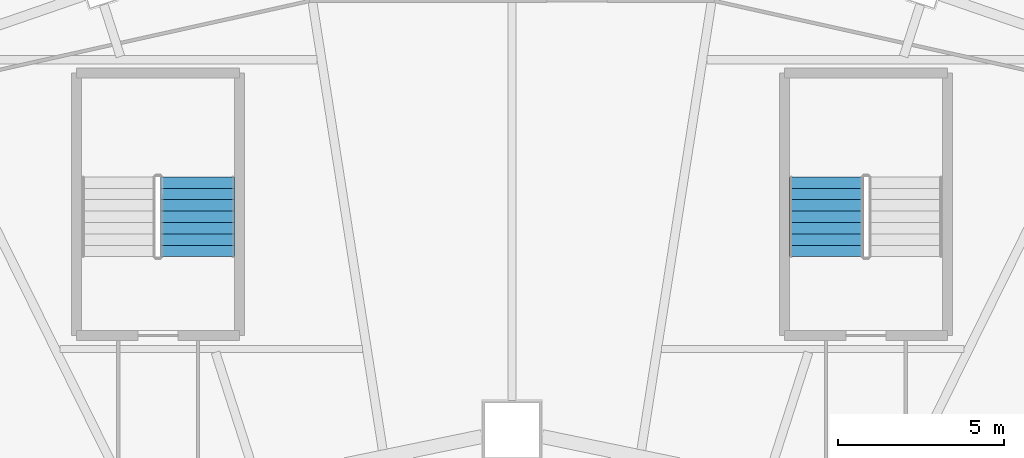
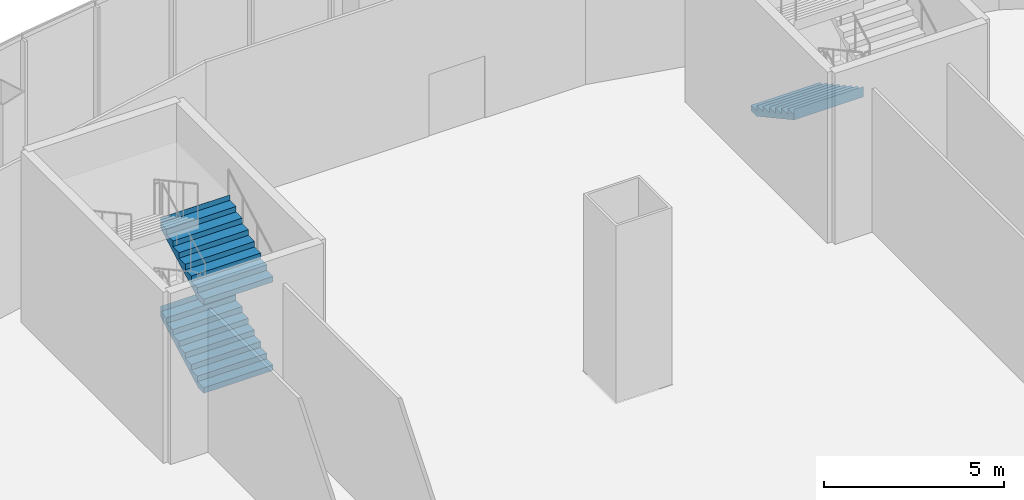
# One storey, part 33 of 37: 3 stair flights, 2 elements without a shape of their own.
"""IFC4 building model written with IfcOpenShell, lengths in metres."""

import ifcopenshell
import ifcopenshell.guid

model = None  # the IFC model being written
_history = None  # IfcOwnerHistory: only IFC2X3 demands one
_inside = {}  # id of a spatial element -> (the spatial element, [elements in it])
_under = {}  # id of a project, library or spatial element -> (it, [spatial elements below it])
_declared = {}  # id of a project -> (the project, [libraries it declares])
_typed = {}  # id of a type object -> (the type object, [elements of that type])
_made_of = {}  # id of a material, layer set ... -> (it, [elements and type objects made of it])


def new_model(schema):
    """Start an empty IFC model of exactly this schema.

    Asked for "IFC4X3", IfcOpenShell would pick the latest addendum, in which some entities
    have other attributes; the version numbers below select the first issue.
    IFC2X3 requires an IfcOwnerHistory on every rooted entity: one is made here for all.
    """
    global model, _history
    if schema == "IFC4X3":
        model = ifcopenshell.file(schema_version=(4, 3, 0, 0))
    else:
        model = ifcopenshell.file(schema=schema)
    _inside.clear()
    _under.clear()
    _declared.clear()
    _typed.clear()
    _made_of.clear()
    _history = None
    if model.schema == "IFC2X3":
        org = make("IfcOrganization", Name="unknown")
        user = make(
            "IfcPersonAndOrganization",
            ThePerson=make("IfcPerson", FamilyName="unknown"),
            TheOrganization=org,
        )
        app = make(
            "IfcApplication",
            ApplicationDeveloper=org,
            Version="unknown",
            ApplicationFullName="unknown",
            ApplicationIdentifier="unknown",
        )
        _history = make(
            "IfcOwnerHistory",
            OwningUser=user,
            OwningApplication=app,
            ChangeAction="ADDED",
            CreationDate=0,
        )
    return model


def make(cls, **values):
    """One entity of the class cls with the attributes given. An attribute that is None is left unset."""
    return model.create_entity(
        cls, **{name: value for name, value in values.items() if value is not None}
    )


def rooted(cls, **values):
    """An entity with a GlobalId (a new one), such as an element, a storey or a relation."""
    return make(cls, GlobalId=ifcopenshell.guid.new(), OwnerHistory=_history, **values)


def si_unit(unit_type, name, prefix=None):
    """IfcSIUnit, for example si_unit("LENGTHUNIT", "METRE", prefix="MILLI")."""
    return make("IfcSIUnit", UnitType=unit_type, Prefix=prefix, Name=name)


def assignment(units):
    """IfcUnitAssignment: the units of a project."""
    return None if units is None else make("IfcUnitAssignment", Units=units)


def point(xyz):
    """IfcCartesianPoint."""
    return None if xyz is None else make("IfcCartesianPoint", Coordinates=xyz)


def direction(xyz):
    """IfcDirection."""
    return None if xyz is None else make("IfcDirection", DirectionRatios=xyz)


def frame(location, z_axis=None, x_axis=None):
    """IfcAxis2Placement3D, a coordinate frame: its origin and axes. An axis left out is left unset."""
    return make(
        "IfcAxis2Placement3D",
        Location=point(location),
        Axis=direction(z_axis),
        RefDirection=direction(x_axis),
    )


def origin():
    """The frame at (0, 0, 0) with its axes left unset."""
    return frame((0.0, 0.0, 0.0))


def place(relative_to, where):
    """IfcLocalPlacement: puts the frame where relative to a parent placement (None: the world)."""
    return make(
        "IfcLocalPlacement", PlacementRelTo=relative_to, RelativePlacement=where
    )


def context(
    kind, dimensions, precision=None, world=None, true_north=None, identifier=None
):
    """IfcGeometricRepresentationContext, for example the 3D "Model" context."""
    return make(
        "IfcGeometricRepresentationContext",
        ContextIdentifier=identifier,
        ContextType=kind,
        CoordinateSpaceDimension=dimensions,
        Precision=precision,
        WorldCoordinateSystem=world,
        TrueNorth=true_north,
    )


def subcontext(parent, identifier, kind, view, scale=None):
    """IfcGeometricRepresentationSubContext, for example "Body" below "Model"."""
    return make(
        "IfcGeometricRepresentationSubContext",
        ContextIdentifier=identifier,
        ContextType=kind,
        ParentContext=parent,
        TargetScale=scale,
        TargetView=view,
    )


def project(units=None, contexts=None):
    """IfcProject with its units and contexts."""
    return rooted(
        "IfcProject",
        Name="project",
        RepresentationContexts=contexts,
        UnitsInContext=assignment(units),
    )


def spatial(cls, under=None, at=None, **own):
    """A site, building, storey or space (cls), placed at a placement, below another one or the project."""
    s = rooted(cls, ObjectPlacement=at, **own)
    if under is not None:
        _under.setdefault(under.id(), (under, []))[1].append(s)
    return s


def point_list(points):
    """IfcCartesianPointList2D or 3D."""
    cls = (
        "IfcCartesianPointList2D" if len(points[0]) == 2 else "IfcCartesianPointList3D"
    )
    return make(cls, CoordList=points)


def triangles(points, corners, closed=None, point_numbers=None):
    """IfcTriangulatedFaceSet: each triangle names its three corners, points numbered from 1."""
    return make(
        "IfcTriangulatedFaceSet",
        Coordinates=point_list(points),
        Closed=closed,
        CoordIndex=corners,
        PnIndex=point_numbers,
    )


def shape(context_of_items, identifier, shape_type, items):
    """IfcShapeRepresentation: the items that make up one representation, for example the "Body"."""
    return make(
        "IfcShapeRepresentation",
        ContextOfItems=context_of_items,
        RepresentationIdentifier=identifier,
        RepresentationType=shape_type,
        Items=items,
    )


def material(Name=None, Category=None):
    """IfcMaterial."""
    return make("IfcMaterial", Name=Name, Category=Category)


def made_of(thing, what):
    """Note that an element or type object is made of a material, layer set ...; save() writes the relation."""
    if what is not None:
        _made_of.setdefault(what.id(), (what, []))[1].append(thing)
    return thing


def type_object(cls, material=None, **own):
    """A type object (cls), such as IfcWallType, which elements share."""
    return made_of(rooted(cls, **own), material)


def element(
    cls,
    number,
    at=None,
    inside=None,
    cuts=None,
    type_object=None,
    material=None,
    context=None,
    identifier="Body",
    shape_type=None,
    held_by="IfcProductDefinitionShape",
    body=None,
    shapes=None,
    **own,
):
    """One element of the class cls, such as IfcWall. Its Tag is "e" and its number.

    at: its placement. inside: the storey or other place that contains it. cuts: it is an
    opening in that element (IfcRelVoidsElement). A single representation is given by context,
    identifier, shape_type and body (its items); several are given by shapes. held_by: the class
    of the entity that holds the representations. save() writes the other relations.
    """
    e = rooted(cls, Tag="e%d" % number, ObjectPlacement=at, **own)
    if body is not None:
        shapes = [shape(context, identifier, shape_type, body)]
    if shapes is not None:
        e.Representation = make(held_by, Representations=shapes)
    if inside is not None:
        _inside.setdefault(inside.id(), (inside, []))[1].append(e)
    if cuts is not None:
        rooted(
            "IfcRelVoidsElement", RelatingBuildingElement=cuts, RelatedOpeningElement=e
        )
    if type_object is not None:
        _typed.setdefault(type_object.id(), (type_object, []))[1].append(e)
    return made_of(e, material)


def aggregate(whole, parts):
    """IfcRelAggregates: a whole, such as a stair, and the parts it consists of."""
    return rooted("IfcRelAggregates", RelatingObject=whole, RelatedObjects=parts)


def save(model, path):
    """Write the relations noted so far, then the file.

    IfcRelAggregates (storeys below a building ...), IfcRelContainedInSpatialStructure (elements
    in a storey), IfcRelDefinesByType, IfcRelAssociatesMaterial and IfcRelDeclares: one each for
    every whole, place, type object, material and project.
    """
    for whole, parts in _under.values():
        aggregate(whole, parts)
    for where, things in _inside.values():
        rooted(
            "IfcRelContainedInSpatialStructure",
            RelatedElements=things,
            RelatingStructure=where,
        )
    for kind, things in _typed.values():
        rooted("IfcRelDefinesByType", RelatedObjects=things, RelatingType=kind)
    for what, things in _made_of.values():
        rooted("IfcRelAssociatesMaterial", RelatedObjects=things, RelatingMaterial=what)
    for by, libraries in _declared.values():
        rooted("IfcRelDeclares", RelatingContext=by, RelatedDefinitions=libraries)
    model.write(path)


model = new_model("IFC4")

# Units and contexts
model_context = context("Model", 3, precision=1e-05, world=origin(), true_north=direction((0.0, 1.0)))
body_context = subcontext(model_context, "Body", "Model", "MODEL_VIEW")
ifc_project = project(units=[si_unit("LENGTHUNIT", "METRE"), si_unit("AREAUNIT", "SQUARE_METRE"), si_unit("VOLUMEUNIT", "CUBIC_METRE"), si_unit("PLANEANGLEUNIT", "RADIAN"), si_unit("MASSUNIT", "GRAM", prefix="KILO")], contexts=[model_context])

# Site, building, storey
site_placement = place(None, origin())
site = spatial("IfcSite", under=ifc_project, at=site_placement, CompositionType="ELEMENT")
building_placement = place(site_placement, origin())
building = spatial("IfcBuilding", under=site, at=building_placement, Name="Sahrelin Media Tower", CompositionType="ELEMENT")
storey_placement = place(building_placement, frame((0.0, 0.0, 31.39990234375)))
storey = spatial("IfcBuildingStorey", under=building, at=storey_placement, Name="L04", CompositionType="ELEMENT", Elevation=31.39990234375)

# Stair, stair flight
ifc_material = material(Name="Concrete C40/50", Category="concrete")
stair_type = type_object("IfcStairType", Name="Podium stair 2225", PredefinedType="HALF_TURN_STAIR", material=ifc_material)
placement = place(storey_placement, origin())
stair_1 = element("IfcStair", 1, at=placement, inside=storey, type_object=stair_type, Name="L04 Podium stair PS1", PredefinedType="HALF_TURN_STAIR")
stair_flight_type = type_object("IfcStairFlightType", Name="Stair flight 2225", PredefinedType="STRAIGHT", material=ifc_material)
stair_flight_1_placement = place(storey_placement, frame((9.46240234375, 33.02490234375, 1.5), z_axis=(0.0, 0.0, 1.0), x_axis=(0.0, -1.0, 0.0)))
stair_flight_1 = element("IfcStairFlight", 2, at=stair_flight_1_placement, type_object=stair_flight_type, Name="PS1 flight 2", NumberOfRisers=8, NumberOfTreads=7, PredefinedType="STRAIGHT", RiserHeight=0.1875, TreadLength=0.342857143, context=body_context, shape_type="Tessellation", body=[
    triangles([(0.3125, 1.112548828125, 0.0), (0.3125, 0.794677734375, 0.0), (0.3125, 0.476806640625, 0.0), (0.3125, 0.158935546875, 0.0), (0.3125, -0.158935546875, 0.0), (0.3125, -0.476806640625, 0.0), (0.3125, -0.794677734375, 0.0), (0.3125, -1.112548828125, 0.0), (2.39990234375, 1.112548828125, 1.1416015625), (2.39990234375, 0.794677734375, 1.1416015625), (2.39990234375, 0.476806640625, 1.1416015625), (2.39990234375, 0.158935546875, 1.1416015625), (2.39990234375, -0.158935546875, 1.1416015625), (2.39990234375, -0.476806640625, 1.1416015625), (2.39990234375, -0.794677734375, 1.1416015625), (2.39990234375, -1.112548828125, 1.1416015625), (2.39990234375, 1.112548828125, 1.5), (2.39990234375, 0.794677734375, 1.5), (2.39990234375, 0.476806640625, 1.5), (2.39990234375, 0.158935546875, 1.5), (2.39990234375, -0.158935546875, 1.5), (2.39990234375, -0.476806640625, 1.5), (2.39990234375, -0.794677734375, 1.5), (2.39990234375, -1.112548828125, 1.5), (2.39794921875, 1.112548828125, 1.5), (2.39794921875, 0.794677734375, 1.5), (2.39794921875, 0.476806640625, 1.5), (2.39794921875, 0.158935546875, 1.5), (2.39794921875, -0.158935546875, 1.5), (2.39794921875, -0.476806640625, 1.5), (2.39794921875, -0.794677734375, 1.5), (2.39794921875, -1.112548828125, 1.5), (2.39794921875, 1.112548828125, 1.3125), (2.39794921875, 0.794677734375, 1.3125), (2.39794921875, 0.476806640625, 1.3125), (2.39794921875, 0.158935546875, 1.3125), (2.39794921875, -0.158935546875, 1.3125), (2.39794921875, -0.476806640625, 1.3125), (2.39794921875, -0.794677734375, 1.3125), (2.39794921875, -1.112548828125, 1.3125), (2.05712890625, 1.112548828125, 1.3125), (2.05712890625, 0.794677734375, 1.3125), (2.05712890625, 0.476806640625, 1.3125), (2.05712890625, 0.158935546875, 1.3125), (2.05712890625, -0.158935546875, 1.3125), (2.05712890625, -0.476806640625, 1.3125), (2.05712890625, -0.794677734375, 1.3125), (2.05712890625, -1.112548828125, 1.3125), (2.05712890625, 1.112548828125, 1.125), (2.05712890625, 0.794677734375, 1.125), (2.05712890625, 0.476806640625, 1.125), (2.05712890625, 0.158935546875, 1.125), (2.05712890625, -0.158935546875, 1.125), (2.05712890625, -0.476806640625, 1.125), (2.05712890625, -0.794677734375, 1.125), (2.05712890625, -1.112548828125, 1.125), (1.71435546875, 1.112548828125, 1.125), (1.71435546875, 0.794677734375, 1.125), (1.71435546875, 0.476806640625, 1.125), (1.71435546875, 0.158935546875, 1.125), (1.71435546875, -0.158935546875, 1.125), (1.71435546875, -0.476806640625, 1.125), (1.71435546875, -0.794677734375, 1.125), (1.71435546875, -1.112548828125, 1.125), (1.71435546875, 1.112548828125, 0.9375), (1.71435546875, 0.794677734375, 0.9375), (1.71435546875, 0.476806640625, 0.9375), (1.71435546875, 0.158935546875, 0.9375), (1.71435546875, -0.158935546875, 0.9375), (1.71435546875, -0.476806640625, 0.9375), (1.71435546875, -0.794677734375, 0.9375), (1.71435546875, -1.112548828125, 0.9375), (1.371337890625, 1.112548828125, 0.9375), (1.371337890625, 0.794677734375, 0.9375), (1.371337890625, 0.476806640625, 0.9375), (1.371337890625, 0.158935546875, 0.9375), (1.371337890625, -0.158935546875, 0.9375), (1.371337890625, -0.476806640625, 0.9375), (1.371337890625, -0.794677734375, 0.9375), (1.371337890625, -1.112548828125, 0.9375), (1.371337890625, 1.112548828125, 0.75), (1.371337890625, 0.794677734375, 0.75), (1.371337890625, 0.476806640625, 0.75), (1.371337890625, 0.158935546875, 0.75), (1.371337890625, -0.158935546875, 0.75), (1.371337890625, -0.476806640625, 0.75), (1.371337890625, -0.794677734375, 0.75), (1.371337890625, -1.112548828125, 0.75), (1.028564453125, 1.112548828125, 0.75), (1.028564453125, 0.794677734375, 0.75), (1.028564453125, 0.476806640625, 0.75), (1.028564453125, 0.158935546875, 0.75), (1.028564453125, -0.158935546875, 0.75), (1.028564453125, -0.476806640625, 0.75), (1.028564453125, -0.794677734375, 0.75), (1.028564453125, -1.112548828125, 0.75), (1.028564453125, 1.112548828125, 0.5625), (1.028564453125, 0.794677734375, 0.5625), (1.028564453125, 0.476806640625, 0.5625), (1.028564453125, 0.158935546875, 0.5625), (1.028564453125, -0.158935546875, 0.5625), (1.028564453125, -0.476806640625, 0.5625), (1.028564453125, -0.794677734375, 0.5625), (1.028564453125, -1.112548828125, 0.5625), (0.685791015625, 1.112548828125, 0.5625), (0.685791015625, 0.794677734375, 0.5625), (0.685791015625, 0.476806640625, 0.5625), (0.685791015625, 0.158935546875, 0.5625), (0.685791015625, -0.158935546875, 0.5625), (0.685791015625, -0.476806640625, 0.5625), (0.685791015625, -0.794677734375, 0.5625), (0.685791015625, -1.112548828125, 0.5625), (0.685791015625, 1.112548828125, 0.375), (0.685791015625, 0.794677734375, 0.375), (0.685791015625, 0.476806640625, 0.375), (0.685791015625, 0.158935546875, 0.375), (0.685791015625, -0.158935546875, 0.375), (0.685791015625, -0.476806640625, 0.375), (0.685791015625, -0.794677734375, 0.375), (0.685791015625, -1.112548828125, 0.375), (0.3427734375, 1.112548828125, 0.375), (0.3427734375, 0.794677734375, 0.375), (0.3427734375, 0.476806640625, 0.375), (0.3427734375, 0.158935546875, 0.375), (0.3427734375, -0.158935546875, 0.375), (0.3427734375, -0.476806640625, 0.375), (0.3427734375, -0.794677734375, 0.375), (0.3427734375, -1.112548828125, 0.375), (0.3427734375, 1.112548828125, 0.1875), (0.3427734375, 0.794677734375, 0.1875), (0.3427734375, 0.476806640625, 0.1875), (0.3427734375, 0.158935546875, 0.1875), (0.3427734375, -0.158935546875, 0.1875), (0.3427734375, -0.476806640625, 0.1875), (0.3427734375, -0.794677734375, 0.1875), (0.3427734375, -1.112548828125, 0.1875), (0.0, 1.112548828125, 0.1875), (0.0, 0.794677734375, 0.1875), (0.0, 0.476806640625, 0.1875), (0.0, 0.158935546875, 0.1875), (0.0, -0.158935546875, 0.1875), (0.0, -0.476806640625, 0.1875), (0.0, -0.794677734375, 0.1875), (0.0, -1.112548828125, 0.1875), (0.0, 1.112548828125, 0.0), (0.0, 0.794677734375, 0.0), (0.0, 0.476806640625, 0.0), (0.0, 0.158935546875, 0.0), (0.0, -0.158935546875, 0.0), (0.0, -0.476806640625, 0.0), (0.0, -0.794677734375, 0.0), (0.0, -1.112548828125, 0.0)], [[1, 9, 10], [1, 10, 2], [2, 10, 11], [2, 11, 3], [3, 11, 12], [3, 12, 4], [4, 12, 13], [4, 13, 5], [5, 13, 14], [5, 14, 6], [6, 14, 15], [6, 15, 7], [7, 15, 16], [7, 16, 8], [9, 17, 18], [9, 18, 10], [10, 18, 19], [10, 19, 11], [11, 19, 20], [11, 20, 12], [12, 20, 21], [12, 21, 13], [13, 21, 22], [13, 22, 14], [14, 22, 23], [14, 23, 15], [15, 23, 24], [15, 24, 16], [17, 25, 26], [17, 26, 18], [18, 26, 27], [18, 27, 19], [19, 27, 28], [19, 28, 20], [20, 28, 29], [20, 29, 21], [21, 29, 30], [21, 30, 22], [22, 30, 31], [22, 31, 23], [23, 31, 32], [23, 32, 24], [25, 33, 34], [25, 34, 26], [26, 34, 35], [26, 35, 27], [27, 35, 36], [27, 36, 28], [28, 36, 37], [28, 37, 29], [29, 37, 38], [29, 38, 30], [30, 38, 39], [30, 39, 31], [31, 39, 40], [31, 40, 32], [33, 41, 42], [33, 42, 34], [34, 42, 43], [34, 43, 35], [35, 43, 44], [35, 44, 36], [36, 44, 45], [36, 45, 37], [37, 45, 46], [37, 46, 38], [38, 46, 47], [38, 47, 39], [39, 47, 48], [39, 48, 40], [41, 49, 50], [41, 50, 42], [42, 50, 51], [42, 51, 43], [43, 51, 52], [43, 52, 44], [44, 52, 53], [44, 53, 45], [45, 53, 54], [45, 54, 46], [46, 54, 55], [46, 55, 47], [47, 55, 56], [47, 56, 48], [49, 57, 58], [49, 58, 50], [50, 58, 59], [50, 59, 51], [51, 59, 60], [51, 60, 52], [52, 60, 61], [52, 61, 53], [53, 61, 62], [53, 62, 54], [54, 62, 63], [54, 63, 55], [55, 63, 64], [55, 64, 56], [57, 65, 66], [57, 66, 58], [58, 66, 67], [58, 67, 59], [59, 67, 68], [59, 68, 60], [60, 68, 69], [60, 69, 61], [61, 69, 70], [61, 70, 62], [62, 70, 71], [62, 71, 63], [63, 71, 72], [63, 72, 64], [65, 73, 74], [65, 74, 66], [66, 74, 75], [66, 75, 67], [67, 75, 76], [67, 76, 68], [68, 76, 77], [68, 77, 69], [69, 77, 78], [69, 78, 70], [70, 78, 79], [70, 79, 71], [71, 79, 80], [71, 80, 72], [73, 81, 82], [73, 82, 74], [74, 82, 83], [74, 83, 75], [75, 83, 84], [75, 84, 76], [76, 84, 85], [76, 85, 77], [77, 85, 86], [77, 86, 78], [78, 86, 87], [78, 87, 79], [79, 87, 88], [79, 88, 80], [81, 89, 90], [81, 90, 82], [82, 90, 91], [82, 91, 83], [83, 91, 92], [83, 92, 84], [84, 92, 93], [84, 93, 85], [85, 93, 94], [85, 94, 86], [86, 94, 95], [86, 95, 87], [87, 95, 96], [87, 96, 88], [89, 97, 98], [89, 98, 90], [90, 98, 99], [90, 99, 91], [91, 99, 100], [91, 100, 92], [92, 100, 101], [92, 101, 93], [93, 101, 102], [93, 102, 94], [94, 102, 103], [94, 103, 95], [95, 103, 104], [95, 104, 96], [97, 105, 106], [97, 106, 98], [98, 106, 107], [98, 107, 99], [99, 107, 108], [99, 108, 100], [100, 108, 109], [100, 109, 101], [101, 109, 110], [101, 110, 102], [102, 110, 111], [102, 111, 103], [103, 111, 112], [103, 112, 104], [105, 113, 114], [105, 114, 106], [106, 114, 115], [106, 115, 107], [107, 115, 116], [107, 116, 108], [108, 116, 117], [108, 117, 109], [109, 117, 118], [109, 118, 110], [110, 118, 119], [110, 119, 111], [111, 119, 120], [111, 120, 112], [113, 121, 122], [113, 122, 114], [114, 122, 123], [114, 123, 115], [115, 123, 124], [115, 124, 116], [116, 124, 125], [116, 125, 117], [117, 125, 126], [117, 126, 118], [118, 126, 127], [118, 127, 119], [119, 127, 128], [119, 128, 120], [121, 129, 130], [121, 130, 122], [122, 130, 131], [122, 131, 123], [123, 131, 132], [123, 132, 124], [124, 132, 133], [124, 133, 125], [125, 133, 134], [125, 134, 126], [126, 134, 135], [126, 135, 127], [127, 135, 136], [127, 136, 128], [129, 137, 138], [129, 138, 130], [130, 138, 139], [130, 139, 131], [131, 139, 140], [131, 140, 132], [132, 140, 141], [132, 141, 133], [133, 141, 142], [133, 142, 134], [134, 142, 143], [134, 143, 135], [135, 143, 144], [135, 144, 136], [137, 145, 146], [137, 146, 138], [138, 146, 147], [138, 147, 139], [139, 147, 148], [139, 148, 140], [140, 148, 149], [140, 149, 141], [141, 149, 150], [141, 150, 142], [142, 150, 151], [142, 151, 143], [143, 151, 152], [143, 152, 144], [145, 1, 2], [145, 2, 146], [146, 2, 3], [146, 3, 147], [147, 3, 4], [147, 4, 148], [148, 4, 5], [148, 5, 149], [149, 5, 6], [149, 6, 150], [150, 6, 7], [150, 7, 151], [151, 7, 8], [151, 8, 152], [8, 144, 152], [1, 145, 137], [136, 120, 128], [129, 121, 113], [120, 104, 112], [113, 105, 97], [104, 88, 96], [97, 89, 81], [88, 72, 80], [81, 73, 65], [72, 56, 64], [65, 57, 49], [16, 40, 48], [9, 41, 33], [40, 24, 32], [33, 25, 17], [8, 136, 144], [1, 137, 129], [8, 88, 104], [1, 97, 81], [40, 16, 24], [33, 17, 9], [120, 136, 8], [113, 1, 129], [16, 72, 88], [9, 81, 65], [48, 56, 16], [41, 9, 49], [104, 120, 8], [97, 1, 113], [72, 16, 56], [65, 49, 9], [8, 16, 88], [1, 81, 9]], closed=True),
])
aggregate(stair_1, [stair_flight_1])

# Stair, stair flights
stair_2 = element("IfcStair", 3, at=placement, inside=storey, type_object=stair_type, Name="L04 Podium stair PS2", PredefinedType="HALF_TURN_STAIR")
stair_flight_2_placement = place(storey_placement, frame((-9.46240234375, 30.625, 0.0), z_axis=(0.0, 0.0, 1.0), x_axis=(0.0, 1.0, 0.0)))
stair_flight_2 = element("IfcStairFlight", 4, at=stair_flight_2_placement, type_object=stair_flight_type, Name="PS2 flight 1", NumberOfRisers=8, NumberOfTreads=7, PredefinedType="STRAIGHT", RiserHeight=0.1875, TreadLength=0.342857143, context=body_context, shape_type="Tessellation", body=[
    triangles([(0.3125, 1.112548828125, 0.0), (0.3125, 0.794677734375, 0.0), (0.3125, 0.476806640625, 0.0), (0.3125, 0.158935546875, 0.0), (0.3125, -0.158935546875, 0.0), (0.3125, -0.476806640625, 0.0), (0.3125, -0.794677734375, 0.0), (0.3125, -1.112548828125, 0.0), (2.39990234375, 1.112548828125, 1.1416015625), (2.39990234375, 0.794677734375, 1.1416015625), (2.39990234375, 0.476806640625, 1.1416015625), (2.39990234375, 0.158935546875, 1.1416015625), (2.39990234375, -0.158935546875, 1.1416015625), (2.39990234375, -0.476806640625, 1.1416015625), (2.39990234375, -0.794677734375, 1.1416015625), (2.39990234375, -1.112548828125, 1.1416015625), (2.39990234375, 1.112548828125, 1.5), (2.39990234375, 0.794677734375, 1.5), (2.39990234375, 0.476806640625, 1.5), (2.39990234375, 0.158935546875, 1.5), (2.39990234375, -0.158935546875, 1.5), (2.39990234375, -0.476806640625, 1.5), (2.39990234375, -0.794677734375, 1.5), (2.39990234375, -1.112548828125, 1.5), (2.39794921875, 1.112548828125, 1.5), (2.39794921875, 0.794677734375, 1.5), (2.39794921875, 0.476806640625, 1.5), (2.39794921875, 0.158935546875, 1.5), (2.39794921875, -0.158935546875, 1.5), (2.39794921875, -0.476806640625, 1.5), (2.39794921875, -0.794677734375, 1.5), (2.39794921875, -1.112548828125, 1.5), (2.39794921875, 1.112548828125, 1.3125), (2.39794921875, 0.794677734375, 1.3125), (2.39794921875, 0.476806640625, 1.3125), (2.39794921875, 0.158935546875, 1.3125), (2.39794921875, -0.158935546875, 1.3125), (2.39794921875, -0.476806640625, 1.3125), (2.39794921875, -0.794677734375, 1.3125), (2.39794921875, -1.112548828125, 1.3125), (2.05712890625, 1.112548828125, 1.3125), (2.05712890625, 0.794677734375, 1.3125), (2.05712890625, 0.476806640625, 1.3125), (2.05712890625, 0.158935546875, 1.3125), (2.05712890625, -0.158935546875, 1.3125), (2.05712890625, -0.476806640625, 1.3125), (2.05712890625, -0.794677734375, 1.3125), (2.05712890625, -1.112548828125, 1.3125), (2.05712890625, 1.112548828125, 1.125), (2.05712890625, 0.794677734375, 1.125), (2.05712890625, 0.476806640625, 1.125), (2.05712890625, 0.158935546875, 1.125), (2.05712890625, -0.158935546875, 1.125), (2.05712890625, -0.476806640625, 1.125), (2.05712890625, -0.794677734375, 1.125), (2.05712890625, -1.112548828125, 1.125), (1.71435546875, 1.112548828125, 1.125), (1.71435546875, 0.794677734375, 1.125), (1.71435546875, 0.476806640625, 1.125), (1.71435546875, 0.158935546875, 1.125), (1.71435546875, -0.158935546875, 1.125), (1.71435546875, -0.476806640625, 1.125), (1.71435546875, -0.794677734375, 1.125), (1.71435546875, -1.112548828125, 1.125), (1.71435546875, 1.112548828125, 0.9375), (1.71435546875, 0.794677734375, 0.9375), (1.71435546875, 0.476806640625, 0.9375), (1.71435546875, 0.158935546875, 0.9375), (1.71435546875, -0.158935546875, 0.9375), (1.71435546875, -0.476806640625, 0.9375), (1.71435546875, -0.794677734375, 0.9375), (1.71435546875, -1.112548828125, 0.9375), (1.371337890625, 1.112548828125, 0.9375), (1.371337890625, 0.794677734375, 0.9375), (1.371337890625, 0.476806640625, 0.9375), (1.371337890625, 0.158935546875, 0.9375), (1.371337890625, -0.158935546875, 0.9375), (1.371337890625, -0.476806640625, 0.9375), (1.371337890625, -0.794677734375, 0.9375), (1.371337890625, -1.112548828125, 0.9375), (1.371337890625, 1.112548828125, 0.75), (1.371337890625, 0.794677734375, 0.75), (1.371337890625, 0.476806640625, 0.75), (1.371337890625, 0.158935546875, 0.75), (1.371337890625, -0.158935546875, 0.75), (1.371337890625, -0.476806640625, 0.75), (1.371337890625, -0.794677734375, 0.75), (1.371337890625, -1.112548828125, 0.75), (1.028564453125, 1.112548828125, 0.75), (1.028564453125, 0.794677734375, 0.75), (1.028564453125, 0.476806640625, 0.75), (1.028564453125, 0.158935546875, 0.75), (1.028564453125, -0.158935546875, 0.75), (1.028564453125, -0.476806640625, 0.75), (1.028564453125, -0.794677734375, 0.75), (1.028564453125, -1.112548828125, 0.75), (1.028564453125, 1.112548828125, 0.5625), (1.028564453125, 0.794677734375, 0.5625), (1.028564453125, 0.476806640625, 0.5625), (1.028564453125, 0.158935546875, 0.5625), (1.028564453125, -0.158935546875, 0.5625), (1.028564453125, -0.476806640625, 0.5625), (1.028564453125, -0.794677734375, 0.5625), (1.028564453125, -1.112548828125, 0.5625), (0.685791015625, 1.112548828125, 0.5625), (0.685791015625, 0.794677734375, 0.5625), (0.685791015625, 0.476806640625, 0.5625), (0.685791015625, 0.158935546875, 0.5625), (0.685791015625, -0.158935546875, 0.5625), (0.685791015625, -0.476806640625, 0.5625), (0.685791015625, -0.794677734375, 0.5625), (0.685791015625, -1.112548828125, 0.5625), (0.685791015625, 1.112548828125, 0.375), (0.685791015625, 0.794677734375, 0.375), (0.685791015625, 0.476806640625, 0.375), (0.685791015625, 0.158935546875, 0.375), (0.685791015625, -0.158935546875, 0.375), (0.685791015625, -0.476806640625, 0.375), (0.685791015625, -0.794677734375, 0.375), (0.685791015625, -1.112548828125, 0.375), (0.3427734375, 1.112548828125, 0.375), (0.3427734375, 0.794677734375, 0.375), (0.3427734375, 0.476806640625, 0.375), (0.3427734375, 0.158935546875, 0.375), (0.3427734375, -0.158935546875, 0.375), (0.3427734375, -0.476806640625, 0.375), (0.3427734375, -0.794677734375, 0.375), (0.3427734375, -1.112548828125, 0.375), (0.3427734375, 1.112548828125, 0.1875), (0.3427734375, 0.794677734375, 0.1875), (0.3427734375, 0.476806640625, 0.1875), (0.3427734375, 0.158935546875, 0.1875), (0.3427734375, -0.158935546875, 0.1875), (0.3427734375, -0.476806640625, 0.1875), (0.3427734375, -0.794677734375, 0.1875), (0.3427734375, -1.112548828125, 0.1875), (0.0, 1.112548828125, 0.1875), (0.0, 0.794677734375, 0.1875), (0.0, 0.476806640625, 0.1875), (0.0, 0.158935546875, 0.1875), (0.0, -0.158935546875, 0.1875), (0.0, -0.476806640625, 0.1875), (0.0, -0.794677734375, 0.1875), (0.0, -1.112548828125, 0.1875), (0.0, 1.112548828125, 0.0), (0.0, 0.794677734375, 0.0), (0.0, 0.476806640625, 0.0), (0.0, 0.158935546875, 0.0), (0.0, -0.158935546875, 0.0), (0.0, -0.476806640625, 0.0), (0.0, -0.794677734375, 0.0), (0.0, -1.112548828125, 0.0)], [[1, 9, 10], [1, 10, 2], [2, 10, 11], [2, 11, 3], [3, 11, 12], [3, 12, 4], [4, 12, 13], [4, 13, 5], [5, 13, 14], [5, 14, 6], [6, 14, 15], [6, 15, 7], [7, 15, 16], [7, 16, 8], [9, 17, 18], [9, 18, 10], [10, 18, 19], [10, 19, 11], [11, 19, 20], [11, 20, 12], [12, 20, 21], [12, 21, 13], [13, 21, 22], [13, 22, 14], [14, 22, 23], [14, 23, 15], [15, 23, 24], [15, 24, 16], [17, 25, 26], [17, 26, 18], [18, 26, 27], [18, 27, 19], [19, 27, 28], [19, 28, 20], [20, 28, 29], [20, 29, 21], [21, 29, 30], [21, 30, 22], [22, 30, 31], [22, 31, 23], [23, 31, 32], [23, 32, 24], [25, 33, 34], [25, 34, 26], [26, 34, 35], [26, 35, 27], [27, 35, 36], [27, 36, 28], [28, 36, 37], [28, 37, 29], [29, 37, 38], [29, 38, 30], [30, 38, 39], [30, 39, 31], [31, 39, 40], [31, 40, 32], [33, 41, 42], [33, 42, 34], [34, 42, 43], [34, 43, 35], [35, 43, 44], [35, 44, 36], [36, 44, 45], [36, 45, 37], [37, 45, 46], [37, 46, 38], [38, 46, 47], [38, 47, 39], [39, 47, 48], [39, 48, 40], [41, 49, 50], [41, 50, 42], [42, 50, 51], [42, 51, 43], [43, 51, 52], [43, 52, 44], [44, 52, 53], [44, 53, 45], [45, 53, 54], [45, 54, 46], [46, 54, 55], [46, 55, 47], [47, 55, 56], [47, 56, 48], [49, 57, 58], [49, 58, 50], [50, 58, 59], [50, 59, 51], [51, 59, 60], [51, 60, 52], [52, 60, 61], [52, 61, 53], [53, 61, 62], [53, 62, 54], [54, 62, 63], [54, 63, 55], [55, 63, 64], [55, 64, 56], [57, 65, 66], [57, 66, 58], [58, 66, 67], [58, 67, 59], [59, 67, 68], [59, 68, 60], [60, 68, 69], [60, 69, 61], [61, 69, 70], [61, 70, 62], [62, 70, 71], [62, 71, 63], [63, 71, 72], [63, 72, 64], [65, 73, 74], [65, 74, 66], [66, 74, 75], [66, 75, 67], [67, 75, 76], [67, 76, 68], [68, 76, 77], [68, 77, 69], [69, 77, 78], [69, 78, 70], [70, 78, 79], [70, 79, 71], [71, 79, 80], [71, 80, 72], [73, 81, 82], [73, 82, 74], [74, 82, 83], [74, 83, 75], [75, 83, 84], [75, 84, 76], [76, 84, 85], [76, 85, 77], [77, 85, 86], [77, 86, 78], [78, 86, 87], [78, 87, 79], [79, 87, 88], [79, 88, 80], [81, 89, 90], [81, 90, 82], [82, 90, 91], [82, 91, 83], [83, 91, 92], [83, 92, 84], [84, 92, 93], [84, 93, 85], [85, 93, 94], [85, 94, 86], [86, 94, 95], [86, 95, 87], [87, 95, 96], [87, 96, 88], [89, 97, 98], [89, 98, 90], [90, 98, 99], [90, 99, 91], [91, 99, 100], [91, 100, 92], [92, 100, 101], [92, 101, 93], [93, 101, 102], [93, 102, 94], [94, 102, 103], [94, 103, 95], [95, 103, 104], [95, 104, 96], [97, 105, 106], [97, 106, 98], [98, 106, 107], [98, 107, 99], [99, 107, 108], [99, 108, 100], [100, 108, 109], [100, 109, 101], [101, 109, 110], [101, 110, 102], [102, 110, 111], [102, 111, 103], [103, 111, 112], [103, 112, 104], [105, 113, 114], [105, 114, 106], [106, 114, 115], [106, 115, 107], [107, 115, 116], [107, 116, 108], [108, 116, 117], [108, 117, 109], [109, 117, 118], [109, 118, 110], [110, 118, 119], [110, 119, 111], [111, 119, 120], [111, 120, 112], [113, 121, 122], [113, 122, 114], [114, 122, 123], [114, 123, 115], [115, 123, 124], [115, 124, 116], [116, 124, 125], [116, 125, 117], [117, 125, 126], [117, 126, 118], [118, 126, 127], [118, 127, 119], [119, 127, 128], [119, 128, 120], [121, 129, 130], [121, 130, 122], [122, 130, 131], [122, 131, 123], [123, 131, 132], [123, 132, 124], [124, 132, 133], [124, 133, 125], [125, 133, 134], [125, 134, 126], [126, 134, 135], [126, 135, 127], [127, 135, 136], [127, 136, 128], [129, 137, 138], [129, 138, 130], [130, 138, 139], [130, 139, 131], [131, 139, 140], [131, 140, 132], [132, 140, 141], [132, 141, 133], [133, 141, 142], [133, 142, 134], [134, 142, 143], [134, 143, 135], [135, 143, 144], [135, 144, 136], [137, 145, 146], [137, 146, 138], [138, 146, 147], [138, 147, 139], [139, 147, 148], [139, 148, 140], [140, 148, 149], [140, 149, 141], [141, 149, 150], [141, 150, 142], [142, 150, 151], [142, 151, 143], [143, 151, 152], [143, 152, 144], [145, 1, 2], [145, 2, 146], [146, 2, 3], [146, 3, 147], [147, 3, 4], [147, 4, 148], [148, 4, 5], [148, 5, 149], [149, 5, 6], [149, 6, 150], [150, 6, 7], [150, 7, 151], [151, 7, 8], [151, 8, 152], [8, 144, 152], [1, 145, 137], [136, 120, 128], [129, 121, 113], [120, 104, 112], [113, 105, 97], [104, 88, 96], [97, 89, 81], [88, 72, 80], [81, 73, 65], [72, 56, 64], [65, 57, 49], [16, 40, 48], [9, 41, 33], [40, 24, 32], [33, 25, 17], [8, 136, 144], [1, 137, 129], [8, 88, 104], [1, 97, 81], [40, 16, 24], [33, 17, 9], [120, 136, 8], [113, 1, 129], [16, 72, 88], [9, 81, 65], [48, 56, 16], [41, 9, 49], [104, 120, 8], [97, 1, 113], [72, 16, 56], [65, 49, 9], [8, 16, 88], [1, 81, 9]], closed=True),
])
stair_flight_3_placement = place(storey_placement, frame((-9.46240234375, 30.625, 3.0), z_axis=(0.0, 0.0, 1.0), x_axis=(0.0, 1.0, 0.0)))
stair_flight_3 = element("IfcStairFlight", 5, at=stair_flight_3_placement, type_object=stair_flight_type, Name="PS2 flight 3", NumberOfRisers=8, NumberOfTreads=7, PredefinedType="STRAIGHT", RiserHeight=0.1875, TreadLength=0.342857143, context=body_context, shape_type="Tessellation", body=[
    triangles([(0.3125, 1.112548828125, 0.0), (0.3125, 0.794677734375, 0.0), (0.3125, 0.476806640625, 0.0), (0.3125, 0.158935546875, 0.0), (0.3125, -0.158935546875, 0.0), (0.3125, -0.476806640625, 0.0), (0.3125, -0.794677734375, 0.0), (0.3125, -1.112548828125, 0.0), (2.39990234375, 1.112548828125, 1.1416015625), (2.39990234375, 0.794677734375, 1.1416015625), (2.39990234375, 0.476806640625, 1.1416015625), (2.39990234375, 0.158935546875, 1.1416015625), (2.39990234375, -0.158935546875, 1.1416015625), (2.39990234375, -0.476806640625, 1.1416015625), (2.39990234375, -0.794677734375, 1.1416015625), (2.39990234375, -1.112548828125, 1.1416015625), (2.39990234375, 1.112548828125, 1.5), (2.39990234375, 0.794677734375, 1.5), (2.39990234375, 0.476806640625, 1.5), (2.39990234375, 0.158935546875, 1.5), (2.39990234375, -0.158935546875, 1.5), (2.39990234375, -0.476806640625, 1.5), (2.39990234375, -0.794677734375, 1.5), (2.39990234375, -1.112548828125, 1.5), (2.39794921875, 1.112548828125, 1.5), (2.39794921875, 0.794677734375, 1.5), (2.39794921875, 0.476806640625, 1.5), (2.39794921875, 0.158935546875, 1.5), (2.39794921875, -0.158935546875, 1.5), (2.39794921875, -0.476806640625, 1.5), (2.39794921875, -0.794677734375, 1.5), (2.39794921875, -1.112548828125, 1.5), (2.39794921875, 1.112548828125, 1.3125), (2.39794921875, 0.794677734375, 1.3125), (2.39794921875, 0.476806640625, 1.3125), (2.39794921875, 0.158935546875, 1.3125), (2.39794921875, -0.158935546875, 1.3125), (2.39794921875, -0.476806640625, 1.3125), (2.39794921875, -0.794677734375, 1.3125), (2.39794921875, -1.112548828125, 1.3125), (2.05712890625, 1.112548828125, 1.3125), (2.05712890625, 0.794677734375, 1.3125), (2.05712890625, 0.476806640625, 1.3125), (2.05712890625, 0.158935546875, 1.3125), (2.05712890625, -0.158935546875, 1.3125), (2.05712890625, -0.476806640625, 1.3125), (2.05712890625, -0.794677734375, 1.3125), (2.05712890625, -1.112548828125, 1.3125), (2.05712890625, 1.112548828125, 1.125), (2.05712890625, 0.794677734375, 1.125), (2.05712890625, 0.476806640625, 1.125), (2.05712890625, 0.158935546875, 1.125), (2.05712890625, -0.158935546875, 1.125), (2.05712890625, -0.476806640625, 1.125), (2.05712890625, -0.794677734375, 1.125), (2.05712890625, -1.112548828125, 1.125), (1.71435546875, 1.112548828125, 1.125), (1.71435546875, 0.794677734375, 1.125), (1.71435546875, 0.476806640625, 1.125), (1.71435546875, 0.158935546875, 1.125), (1.71435546875, -0.158935546875, 1.125), (1.71435546875, -0.476806640625, 1.125), (1.71435546875, -0.794677734375, 1.125), (1.71435546875, -1.112548828125, 1.125), (1.71435546875, 1.112548828125, 0.9375), (1.71435546875, 0.794677734375, 0.9375), (1.71435546875, 0.476806640625, 0.9375), (1.71435546875, 0.158935546875, 0.9375), (1.71435546875, -0.158935546875, 0.9375), (1.71435546875, -0.476806640625, 0.9375), (1.71435546875, -0.794677734375, 0.9375), (1.71435546875, -1.112548828125, 0.9375), (1.371337890625, 1.112548828125, 0.9375), (1.371337890625, 0.794677734375, 0.9375), (1.371337890625, 0.476806640625, 0.9375), (1.371337890625, 0.158935546875, 0.9375), (1.371337890625, -0.158935546875, 0.9375), (1.371337890625, -0.476806640625, 0.9375), (1.371337890625, -0.794677734375, 0.9375), (1.371337890625, -1.112548828125, 0.9375), (1.371337890625, 1.112548828125, 0.75), (1.371337890625, 0.794677734375, 0.75), (1.371337890625, 0.476806640625, 0.75), (1.371337890625, 0.158935546875, 0.75), (1.371337890625, -0.158935546875, 0.75), (1.371337890625, -0.476806640625, 0.75), (1.371337890625, -0.794677734375, 0.75), (1.371337890625, -1.112548828125, 0.75), (1.028564453125, 1.112548828125, 0.75), (1.028564453125, 0.794677734375, 0.75), (1.028564453125, 0.476806640625, 0.75), (1.028564453125, 0.158935546875, 0.75), (1.028564453125, -0.158935546875, 0.75), (1.028564453125, -0.476806640625, 0.75), (1.028564453125, -0.794677734375, 0.75), (1.028564453125, -1.112548828125, 0.75), (1.028564453125, 1.112548828125, 0.5625), (1.028564453125, 0.794677734375, 0.5625), (1.028564453125, 0.476806640625, 0.5625), (1.028564453125, 0.158935546875, 0.5625), (1.028564453125, -0.158935546875, 0.5625), (1.028564453125, -0.476806640625, 0.5625), (1.028564453125, -0.794677734375, 0.5625), (1.028564453125, -1.112548828125, 0.5625), (0.685791015625, 1.112548828125, 0.5625), (0.685791015625, 0.794677734375, 0.5625), (0.685791015625, 0.476806640625, 0.5625), (0.685791015625, 0.158935546875, 0.5625), (0.685791015625, -0.158935546875, 0.5625), (0.685791015625, -0.476806640625, 0.5625), (0.685791015625, -0.794677734375, 0.5625), (0.685791015625, -1.112548828125, 0.5625), (0.685791015625, 1.112548828125, 0.375), (0.685791015625, 0.794677734375, 0.375), (0.685791015625, 0.476806640625, 0.375), (0.685791015625, 0.158935546875, 0.375), (0.685791015625, -0.158935546875, 0.375), (0.685791015625, -0.476806640625, 0.375), (0.685791015625, -0.794677734375, 0.375), (0.685791015625, -1.112548828125, 0.375), (0.3427734375, 1.112548828125, 0.375), (0.3427734375, 0.794677734375, 0.375), (0.3427734375, 0.476806640625, 0.375), (0.3427734375, 0.158935546875, 0.375), (0.3427734375, -0.158935546875, 0.375), (0.3427734375, -0.476806640625, 0.375), (0.3427734375, -0.794677734375, 0.375), (0.3427734375, -1.112548828125, 0.375), (0.3427734375, 1.112548828125, 0.1875), (0.3427734375, 0.794677734375, 0.1875), (0.3427734375, 0.476806640625, 0.1875), (0.3427734375, 0.158935546875, 0.1875), (0.3427734375, -0.158935546875, 0.1875), (0.3427734375, -0.476806640625, 0.1875), (0.3427734375, -0.794677734375, 0.1875), (0.3427734375, -1.112548828125, 0.1875), (0.0, 1.112548828125, 0.1875), (0.0, 0.794677734375, 0.1875), (0.0, 0.476806640625, 0.1875), (0.0, 0.158935546875, 0.1875), (0.0, -0.158935546875, 0.1875), (0.0, -0.476806640625, 0.1875), (0.0, -0.794677734375, 0.1875), (0.0, -1.112548828125, 0.1875), (0.0, 1.112548828125, 0.0), (0.0, 0.794677734375, 0.0), (0.0, 0.476806640625, 0.0), (0.0, 0.158935546875, 0.0), (0.0, -0.158935546875, 0.0), (0.0, -0.476806640625, 0.0), (0.0, -0.794677734375, 0.0), (0.0, -1.112548828125, 0.0)], [[1, 9, 10], [1, 10, 2], [2, 10, 11], [2, 11, 3], [3, 11, 12], [3, 12, 4], [4, 12, 13], [4, 13, 5], [5, 13, 14], [5, 14, 6], [6, 14, 15], [6, 15, 7], [7, 15, 16], [7, 16, 8], [9, 17, 18], [9, 18, 10], [10, 18, 19], [10, 19, 11], [11, 19, 20], [11, 20, 12], [12, 20, 21], [12, 21, 13], [13, 21, 22], [13, 22, 14], [14, 22, 23], [14, 23, 15], [15, 23, 24], [15, 24, 16], [17, 25, 26], [17, 26, 18], [18, 26, 27], [18, 27, 19], [19, 27, 28], [19, 28, 20], [20, 28, 29], [20, 29, 21], [21, 29, 30], [21, 30, 22], [22, 30, 31], [22, 31, 23], [23, 31, 32], [23, 32, 24], [25, 33, 34], [25, 34, 26], [26, 34, 35], [26, 35, 27], [27, 35, 36], [27, 36, 28], [28, 36, 37], [28, 37, 29], [29, 37, 38], [29, 38, 30], [30, 38, 39], [30, 39, 31], [31, 39, 40], [31, 40, 32], [33, 41, 42], [33, 42, 34], [34, 42, 43], [34, 43, 35], [35, 43, 44], [35, 44, 36], [36, 44, 45], [36, 45, 37], [37, 45, 46], [37, 46, 38], [38, 46, 47], [38, 47, 39], [39, 47, 48], [39, 48, 40], [41, 49, 50], [41, 50, 42], [42, 50, 51], [42, 51, 43], [43, 51, 52], [43, 52, 44], [44, 52, 53], [44, 53, 45], [45, 53, 54], [45, 54, 46], [46, 54, 55], [46, 55, 47], [47, 55, 56], [47, 56, 48], [49, 57, 58], [49, 58, 50], [50, 58, 59], [50, 59, 51], [51, 59, 60], [51, 60, 52], [52, 60, 61], [52, 61, 53], [53, 61, 62], [53, 62, 54], [54, 62, 63], [54, 63, 55], [55, 63, 64], [55, 64, 56], [57, 65, 66], [57, 66, 58], [58, 66, 67], [58, 67, 59], [59, 67, 68], [59, 68, 60], [60, 68, 69], [60, 69, 61], [61, 69, 70], [61, 70, 62], [62, 70, 71], [62, 71, 63], [63, 71, 72], [63, 72, 64], [65, 73, 74], [65, 74, 66], [66, 74, 75], [66, 75, 67], [67, 75, 76], [67, 76, 68], [68, 76, 77], [68, 77, 69], [69, 77, 78], [69, 78, 70], [70, 78, 79], [70, 79, 71], [71, 79, 80], [71, 80, 72], [73, 81, 82], [73, 82, 74], [74, 82, 83], [74, 83, 75], [75, 83, 84], [75, 84, 76], [76, 84, 85], [76, 85, 77], [77, 85, 86], [77, 86, 78], [78, 86, 87], [78, 87, 79], [79, 87, 88], [79, 88, 80], [81, 89, 90], [81, 90, 82], [82, 90, 91], [82, 91, 83], [83, 91, 92], [83, 92, 84], [84, 92, 93], [84, 93, 85], [85, 93, 94], [85, 94, 86], [86, 94, 95], [86, 95, 87], [87, 95, 96], [87, 96, 88], [89, 97, 98], [89, 98, 90], [90, 98, 99], [90, 99, 91], [91, 99, 100], [91, 100, 92], [92, 100, 101], [92, 101, 93], [93, 101, 102], [93, 102, 94], [94, 102, 103], [94, 103, 95], [95, 103, 104], [95, 104, 96], [97, 105, 106], [97, 106, 98], [98, 106, 107], [98, 107, 99], [99, 107, 108], [99, 108, 100], [100, 108, 109], [100, 109, 101], [101, 109, 110], [101, 110, 102], [102, 110, 111], [102, 111, 103], [103, 111, 112], [103, 112, 104], [105, 113, 114], [105, 114, 106], [106, 114, 115], [106, 115, 107], [107, 115, 116], [107, 116, 108], [108, 116, 117], [108, 117, 109], [109, 117, 118], [109, 118, 110], [110, 118, 119], [110, 119, 111], [111, 119, 120], [111, 120, 112], [113, 121, 122], [113, 122, 114], [114, 122, 123], [114, 123, 115], [115, 123, 124], [115, 124, 116], [116, 124, 125], [116, 125, 117], [117, 125, 126], [117, 126, 118], [118, 126, 127], [118, 127, 119], [119, 127, 128], [119, 128, 120], [121, 129, 130], [121, 130, 122], [122, 130, 131], [122, 131, 123], [123, 131, 132], [123, 132, 124], [124, 132, 133], [124, 133, 125], [125, 133, 134], [125, 134, 126], [126, 134, 135], [126, 135, 127], [127, 135, 136], [127, 136, 128], [129, 137, 138], [129, 138, 130], [130, 138, 139], [130, 139, 131], [131, 139, 140], [131, 140, 132], [132, 140, 141], [132, 141, 133], [133, 141, 142], [133, 142, 134], [134, 142, 143], [134, 143, 135], [135, 143, 144], [135, 144, 136], [137, 145, 146], [137, 146, 138], [138, 146, 147], [138, 147, 139], [139, 147, 148], [139, 148, 140], [140, 148, 149], [140, 149, 141], [141, 149, 150], [141, 150, 142], [142, 150, 151], [142, 151, 143], [143, 151, 152], [143, 152, 144], [145, 1, 2], [145, 2, 146], [146, 2, 3], [146, 3, 147], [147, 3, 4], [147, 4, 148], [148, 4, 5], [148, 5, 149], [149, 5, 6], [149, 6, 150], [150, 6, 7], [150, 7, 151], [151, 7, 8], [151, 8, 152], [8, 144, 152], [1, 145, 137], [136, 120, 128], [129, 121, 113], [120, 104, 112], [113, 105, 97], [104, 88, 96], [97, 89, 81], [88, 72, 80], [81, 73, 65], [72, 56, 64], [65, 57, 49], [16, 40, 48], [9, 41, 33], [40, 24, 32], [33, 25, 17], [8, 136, 144], [1, 137, 129], [8, 88, 104], [1, 97, 81], [40, 16, 24], [33, 17, 9], [120, 136, 8], [113, 1, 129], [16, 72, 88], [9, 81, 65], [48, 56, 16], [41, 9, 49], [104, 120, 8], [97, 1, 113], [72, 16, 56], [65, 49, 9], [8, 16, 88], [1, 81, 9]], closed=True),
])
aggregate(stair_2, [stair_flight_2, stair_flight_3])

save(model, "model.ifc")
